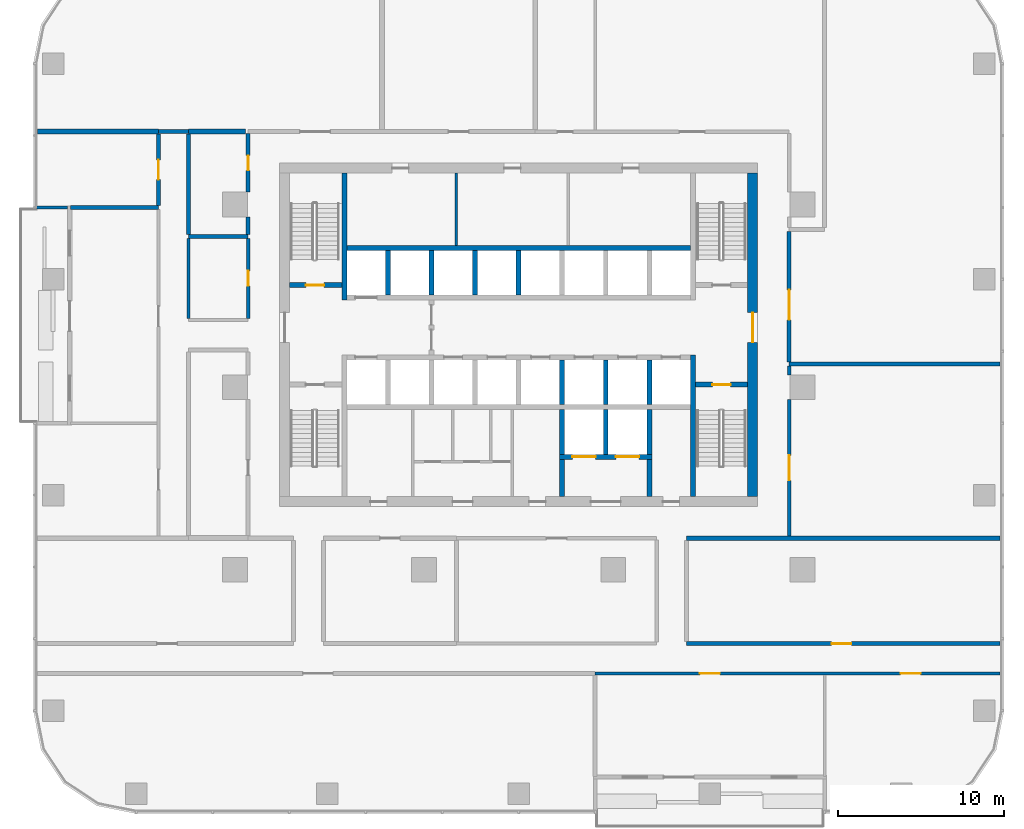
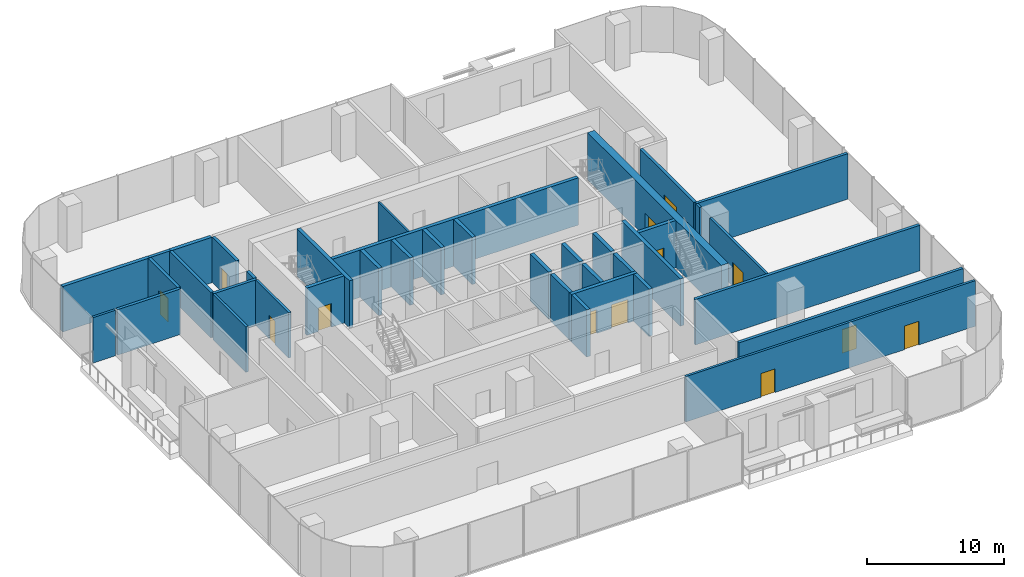
# One storey, part 9 of 15: 39 walls, 13 doors, 13 openings.
"""IFC4 building model written with IfcOpenShell, lengths in metres."""

from ifc_helpers import new_model, si_unit, direction, frame, frame_2d, origin, place, context, subcontext, project, spatial, rectangle, extrude, material, layer, layer_set, type_object, element, fill, save


model = new_model("IFC4")

# Units and contexts
model_context = context("Model", 3, precision=1e-05, world=origin(), true_north=direction((0.0, 1.0)))
body_context = subcontext(model_context, "Body", "Model", "MODEL_VIEW")
ifc_project = project(units=[si_unit("LENGTHUNIT", "METRE"), si_unit("AREAUNIT", "SQUARE_METRE"), si_unit("VOLUMEUNIT", "CUBIC_METRE"), si_unit("PLANEANGLEUNIT", "RADIAN"), si_unit("MASSUNIT", "GRAM", prefix="KILO")], contexts=[model_context])

# Site, building, storey
site_placement = place(None, origin())
site = spatial("IfcSite", under=ifc_project, at=site_placement, CompositionType="ELEMENT")
building_placement = place(site_placement, origin())
building = spatial("IfcBuilding", under=site, at=building_placement, Name="Mopane Tessera Tower", CompositionType="ELEMENT")
storey_placement = place(building_placement, frame((0.0, 0.0, 103.60009765625)))
storey = spatial("IfcBuildingStorey", under=building, at=storey_placement, Name="L20", CompositionType="ELEMENT", Elevation=103.60009765625)

# Wall
ifc_material_1 = material(Name="Fire-rated gypsum board partition")
ifc_layer_1 = layer(ifc_material_1, 0.14990234375)
ifc_layer_set_1 = layer_set([ifc_layer_1], Name="Fire-rated gypsum board partition")
wall_type_1 = type_object("IfcWallType", Name="Core room partition 150 mm", PredefinedType="PARTITIONING", material=ifc_layer_set_1)
wall_1_placement = place(storey_placement, frame((-3.75, 8.550048828125, 0.0), z_axis=(0.0, 0.0, 1.0), x_axis=(0.0, 1.0, 0.0)))
element("IfcWall", 1, at=wall_1_placement, inside=storey, type_object=wall_type_1, Name="L20 Room partition", PredefinedType="PARTITIONING", context=body_context, shape_type="SweptSolid", body=[
    extrude(rectangle(XDim=4.349853515625, YDim=0.14990234375, at=frame_2d((2.1748046875, 0.0))), origin(), (0.0, 0.0, 1.0), 4.199951171875),
])

# Wall, opening, door
ifc_material_2 = material(Name="Concrete C70/85", Category="concrete")
ifc_layer_2 = layer(ifc_material_2, 0.60009765625)
ifc_layer_set_2 = layer_set([ifc_layer_2], Name="Concrete C70/85")
wall_type_2 = type_object("IfcWallType", Name="Core shear wall 600 mm", PredefinedType="SHEAR", material=ifc_layer_set_2)
wall_2_placement = place(storey_placement, frame((14.10009765625, -6.60009765625, 0.0), z_axis=(0.0, 0.0, 1.0), x_axis=(0.0, 1.0, 0.0)))
wall_2 = element("IfcWall", 2, at=wall_2_placement, inside=storey, type_object=wall_type_2, Name="L20 Core wall east", PredefinedType="SHEAR", context=body_context, shape_type="SweptSolid", body=[
    extrude(rectangle(XDim=19.5, YDim=0.60009765625, at=frame_2d((9.75, 0.0))), origin(), (0.0, 0.0, 1.0), 4.199951171875),
])
opening_1_placement = place(wall_2_placement, frame((9.300048828125, 0.0, 0.0)))
opening_1 = element("IfcOpeningElement", 3, at=opening_1_placement, cuts=wall_2, Name="Opening SD2", PredefinedType="OPENING", context=body_context, shape_type="SweptSolid", body=[
    extrude(rectangle(XDim=1.800048828125, YDim=2.10009765625, at=frame_2d((0.89990234375, 1.050048828125))), frame((0.0, 0.31201171875, 0.0), z_axis=(0.0, -1.0, 0.0), x_axis=(1.0, 0.0, 0.0)), (0.0, 0.0, 1.0), 0.6240234375),
])
ifc_material_3 = material(Name="Steel fire door", Category="steel")
door_type_1 = type_object("IfcDoorType", Name="Core entrance double door 1800 x 2100", OperationType="DOUBLE_DOOR_SINGLE_SWING", PredefinedType="DOOR", material=ifc_material_3)
door_1_placement = place(opening_1_placement, origin())
door_1 = element("IfcDoor", 4, at=door_1_placement, inside=storey, type_object=door_type_1, Name="L20 Core entrance door east", OperationType="DOUBLE_DOOR_SINGLE_SWING", OverallHeight=2.10009765625, OverallWidth=1.800048828125, PredefinedType="DOOR", context=body_context, shape_type="SweptSolid", body=[
    extrude(rectangle(XDim=1.800048828125, YDim=2.10009765625, at=frame_2d((0.89990234375, 1.050048828125))), frame((0.0, 0.02490234375, 0.0), z_axis=(0.0, -1.0, 0.0), x_axis=(1.0, 0.0, 0.0)), (0.0, 0.0, 1.0), 0.050048828125),
])
fill(opening_1, door_1)

# Walls
ifc_material_4 = material(Name="Concrete C60/75", Category="concrete")
ifc_layer_3 = layer(ifc_material_4, 0.300048828125)
ifc_layer_set_3 = layer_set([ifc_layer_3], Name="Concrete C60/75")
wall_type_3 = type_object("IfcWallType", Name="Core spine wall 300 mm", PredefinedType="SHEAR", material=ifc_layer_set_3)
wall_3_placement = place(storey_placement, frame((-10.5, 5.25, 0.0), z_axis=(0.0, 0.0, 1.0), x_axis=(0.0, 1.0, 0.0)))
element("IfcWall", 5, at=wall_3_placement, inside=storey, type_object=wall_type_3, Name="L20 Core spine wall", PredefinedType="SHEAR", context=body_context, shape_type="SweptSolid", body=[
    extrude(rectangle(XDim=7.64990234375, YDim=0.300048828125, at=frame_2d((3.824951171875, 0.0))), origin(), (0.0, 0.0, 1.0), 4.199951171875),
])
wall_4_placement = place(storey_placement, frame((10.5, -6.60009765625, 0.0), z_axis=(0.0, 0.0, 1.0), x_axis=(0.0, 1.0, 0.0)))
element("IfcWall", 6, at=wall_4_placement, inside=storey, type_object=wall_type_3, Name="L20 Core spine wall", PredefinedType="SHEAR", context=body_context, shape_type="SweptSolid", body=[
    extrude(rectangle(XDim=8.550048828125, YDim=0.300048828125, at=frame_2d((4.27490234375, 0.0))), origin(), (0.0, 0.0, 1.0), 4.199951171875),
])

# Wall, openings, doors
ifc_material_5 = material(Name="Gypsum board on steel studs, two layers each face, mineral wool infill", Category="steel")
ifc_layer_4 = layer(ifc_material_5, 0.199951171875)
ifc_layer_set_4 = layer_set([ifc_layer_4], Name="Gypsum board on steel studs, two layers each face, mineral wool infill")
wall_type_4 = type_object("IfcWallType", Name="Gypsum board corridor wall 200, rated EI 60", PredefinedType="PARTITIONING", material=ifc_layer_set_4)
wall_5_placement = place(storey_placement, frame((4.610107421875, -17.25, 0.0), z_axis=(0.0, 0.0, 1.0), x_axis=(1.0, 0.0, 0.0)))
wall_5 = element("IfcWall", 7, at=wall_5_placement, inside=storey, type_object=wall_type_4, Name="Partition L20:000", PredefinedType="PARTITIONING", context=body_context, shape_type="SweptSolid", body=[
    extrude(rectangle(XDim=24.389892578125, YDim=0.199951171875, at=frame_2d((12.19482421875, 0.0))), origin(), (0.0, 0.0, 1.0), 4.0498046875),
])
opening_2_placement = place(wall_5_placement, frame((6.31494140625, 0.0, 0.0)))
opening_2 = element("IfcOpeningElement", 8, at=opening_2_placement, cuts=wall_5, Name="Opening L20-16", PredefinedType="OPENING", context=body_context, shape_type="SweptSolid", body=[
    extrude(rectangle(XDim=1.199951171875, YDim=2.10009765625, at=frame_2d((0.60009765625, 1.050048828125))), frame((0.0, 0.112060546875, 0.0), z_axis=(0.0, -1.0, 0.0), x_axis=(1.0, 0.0, 0.0)), (0.0, 0.0, 1.0), 0.223876953125),
])
opening_3_placement = place(wall_5_placement, frame((18.409912109375, 0.0, 0.0)))
opening_3 = element("IfcOpeningElement", 9, at=opening_3_placement, cuts=wall_5, Name="Opening L20-19", PredefinedType="OPENING", context=body_context, shape_type="SweptSolid", body=[
    extrude(rectangle(XDim=1.199951171875, YDim=2.10009765625, at=frame_2d((0.60009765625, 1.050048828125))), frame((0.0, 0.112060546875, 0.0), z_axis=(0.0, -1.0, 0.0), x_axis=(1.0, 0.0, 0.0)), (0.0, 0.0, 1.0), 0.223876953125),
])
ifc_material_6 = material(Name="Timber veneered steel-framed fire door", Category="steel")
door_type_2 = type_object("IfcDoorType", Name="Fire door FD60 1200 x 2100", OperationType="SINGLE_SWING_LEFT", PredefinedType="DOOR", material=ifc_material_6)
door_2_placement = place(opening_2_placement, origin())
door_2 = element("IfcDoor", 10, at=door_2_placement, inside=storey, type_object=door_type_2, Name="Door L20-16", ObjectType="D15A", OperationType="SINGLE_SWING_RIGHT", OverallHeight=2.10009765625, OverallWidth=1.199951171875, PredefinedType="DOOR", context=body_context, shape_type="SweptSolid", body=[
    extrude(rectangle(XDim=1.199951171875, YDim=2.10009765625, at=frame_2d((0.60009765625, 1.050048828125))), frame((0.0, 0.02490234375, 0.0), z_axis=(0.0, -1.0, 0.0), x_axis=(1.0, 0.0, 0.0)), (0.0, 0.0, 1.0), 0.050048828125),
])
fill(opening_2, door_2)
door_3_placement = place(opening_3_placement, origin())
door_3 = element("IfcDoor", 11, at=door_3_placement, inside=storey, type_object=door_type_2, Name="Door L20-19", ObjectType="D15A", OperationType="SINGLE_SWING_LEFT", OverallHeight=2.10009765625, OverallWidth=1.199951171875, PredefinedType="DOOR", context=body_context, shape_type="SweptSolid", body=[
    extrude(rectangle(XDim=1.199951171875, YDim=2.10009765625, at=frame_2d((0.60009765625, 1.050048828125))), frame((0.0, 0.02490234375, 0.0), z_axis=(0.0, -1.0, 0.0), x_axis=(1.0, 0.0, 0.0)), (0.0, 0.0, 1.0), 0.050048828125),
])
fill(opening_3, door_3)

# Wall
wall_6_placement = place(storey_placement, frame((-19.89990234375, 4.14990234375, 0.0), z_axis=(0.0, 0.0, 1.0), x_axis=(0.0, 1.0, 0.0)))
element("IfcWall", 12, at=wall_6_placement, inside=storey, type_object=wall_type_4, Name="Partition L20:026", PredefinedType="PARTITIONING", context=body_context, shape_type="SweptSolid", body=[
    extrude(rectangle(XDim=4.81005859375, YDim=0.199951171875, at=frame_2d((2.405029296875, 0.0))), origin(), (0.0, 0.0, 1.0), 4.0498046875),
])

# Wall, opening, door
wall_7_placement = place(storey_placement, frame((-16.300048828125, 4.14990234375, 0.0), z_axis=(0.0, 0.0, 1.0), x_axis=(0.0, 1.0, 0.0)))
wall_7 = element("IfcWall", 13, at=wall_7_placement, inside=storey, type_object=wall_type_4, Name="Partition L20:029", PredefinedType="PARTITIONING", context=body_context, shape_type="SweptSolid", body=[
    extrude(rectangle(XDim=4.81005859375, YDim=0.199951171875, at=frame_2d((2.405029296875, 0.0))), origin(), (0.0, 0.0, 1.0), 4.0498046875),
])
opening_4_placement = place(wall_7_placement, frame((1.955078125, 0.0, 0.0)))
opening_4 = element("IfcOpeningElement", 14, at=opening_4_placement, cuts=wall_7, Name="Opening L20-08", PredefinedType="OPENING", context=body_context, shape_type="SweptSolid", body=[
    extrude(rectangle(XDim=0.89990234375, YDim=2.10009765625, at=frame_2d((0.449951171875, 1.050048828125))), frame((0.0, 0.112060546875, 0.0), z_axis=(0.0, -1.0, 0.0), x_axis=(1.0, 0.0, 0.0)), (0.0, 0.0, 1.0), 0.223876953125),
])
ifc_material_7 = material(Name="Timber veneered steel-framed fire door", Category="steel")
door_type_3 = type_object("IfcDoorType", Name="Fire door FD60 900 x 2100", OperationType="SINGLE_SWING_LEFT", PredefinedType="DOOR", material=ifc_material_7)
door_4_placement = place(opening_4_placement, origin())
door_4 = element("IfcDoor", 15, at=door_4_placement, inside=storey, type_object=door_type_3, Name="Door L20-08", ObjectType="D10A", OperationType="SINGLE_SWING_LEFT", OverallHeight=2.10009765625, OverallWidth=0.89990234375, PredefinedType="DOOR", context=body_context, shape_type="SweptSolid", body=[
    extrude(rectangle(XDim=0.89990234375, YDim=2.10009765625, at=frame_2d((0.449951171875, 1.050048828125))), frame((0.0, 0.02490234375, 0.0), z_axis=(0.0, -1.0, 0.0), x_axis=(1.0, 0.0, 0.0)), (0.0, 0.0, 1.0), 0.050048828125),
])
fill(opening_4, door_4)

wall_8_placement = place(storey_placement, frame((16.300048828125, -8.97509765625, 0.0), z_axis=(0.0, 0.0, 1.0), x_axis=(0.0, 1.0, 0.0)))
wall_8 = element("IfcWall", 16, at=wall_8_placement, inside=storey, type_object=wall_type_4, Name="Partition L20:043", PredefinedType="PARTITIONING", context=body_context, shape_type="SweptSolid", body=[
    extrude(rectangle(XDim=8.22509765625, YDim=0.199951171875, at=frame_2d((4.112548828125, 0.0))), origin(), (0.0, 0.0, 1.0), 4.0498046875),
])
opening_5_placement = place(wall_8_placement, frame((3.362548828125, 0.0, 0.0)))
opening_5 = element("IfcOpeningElement", 17, at=opening_5_placement, cuts=wall_8, Name="Opening L20-18", PredefinedType="OPENING", context=body_context, shape_type="SweptSolid", body=[
    extrude(rectangle(XDim=1.5, YDim=2.10009765625, at=frame_2d((0.75, 1.050048828125))), frame((0.0, 0.112060546875, 0.0), z_axis=(0.0, -1.0, 0.0), x_axis=(1.0, 0.0, 0.0)), (0.0, 0.0, 1.0), 0.223876953125),
])
ifc_material_8 = material(Name="Timber veneered steel-framed fire door", Category="steel")
door_type_4 = type_object("IfcDoorType", Name="Fire door pair FD60 1500 x 2100", OperationType="DOUBLE_DOOR_SINGLE_SWING", PredefinedType="DOOR", material=ifc_material_8)
door_5_placement = place(opening_5_placement, origin())
door_5 = element("IfcDoor", 18, at=door_5_placement, inside=storey, type_object=door_type_4, Name="Door L20-18", ObjectType="D17A", OperationType="DOUBLE_DOOR_SINGLE_SWING", OverallHeight=2.10009765625, OverallWidth=1.5, PredefinedType="DOOR", context=body_context, shape_type="SweptSolid", body=[
    extrude(rectangle(XDim=1.5, YDim=2.10009765625, at=frame_2d((0.75, 1.050048828125))), frame((0.0, 0.02490234375, 0.0), z_axis=(0.0, -1.0, 0.0), x_axis=(1.0, 0.0, 0.0)), (0.0, 0.0, 1.0), 0.050048828125),
])
fill(opening_5, door_5)

# Wall
wall_9_placement = place(storey_placement, frame((16.300048828125, 0.75, 0.0), z_axis=(0.0, 0.0, 1.0), x_axis=(0.0, 1.0, 0.0)))
element("IfcWall", 19, at=wall_9_placement, inside=storey, type_object=wall_type_4, Name="Partition L20:044", PredefinedType="PARTITIONING", context=body_context, shape_type="SweptSolid", body=[
    extrude(rectangle(XDim=0.52490234375, YDim=0.199951171875, at=frame_2d((0.262451171875, 0.0))), origin(), (0.0, 0.0, 1.0), 4.0498046875),
])

# Wall, opening, door
ifc_material_9 = material(Name="Concrete C50/60", Category="concrete")
ifc_layer_5 = layer(ifc_material_9, 0.300048828125)
ifc_layer_set_5 = layer_set([ifc_layer_5], Name="Concrete C50/60")
wall_type_5 = type_object("IfcWallType", Name="Lift and stair shaft wall 300 mm", PredefinedType="SOLIDWALL", material=ifc_layer_set_5)
wall_10_placement = place(storey_placement, frame((-13.800048828125, 6.14990234375, 0.0), z_axis=(0.0, 0.0, 1.0), x_axis=(1.0, 0.0, 0.0)))
wall_10 = element("IfcWall", 20, at=wall_10_placement, inside=storey, type_object=wall_type_5, Name="L20 Stair enclosure wall", PredefinedType="SOLIDWALL", context=body_context, shape_type="SweptSolid", body=[
    extrude(rectangle(XDim=3.150146484375, YDim=0.300048828125, at=frame_2d((1.5751953125, 0.0))), origin(), (0.0, 0.0, 1.0), 4.199951171875),
])
opening_6_placement = place(wall_10_placement, frame((0.97509765625, 0.0, 0.0)))
opening_6 = element("IfcOpeningElement", 21, at=opening_6_placement, cuts=wall_10, Name="Opening SD1", PredefinedType="OPENING", context=body_context, shape_type="SweptSolid", body=[
    extrude(rectangle(XDim=1.10009765625, YDim=2.10009765625, at=frame_2d((0.550048828125, 1.050048828125))), frame((0.0, 0.162109375, 0.0), z_axis=(0.0, -1.0, 0.0), x_axis=(1.0, 0.0, 0.0)), (0.0, 0.0, 1.0), 0.323974609375),
])
ifc_material_10 = material(Name="Steel fire door", Category="steel")
door_type_5 = type_object("IfcDoorType", Name="Stair fire door 1100 x 2100", OperationType="SINGLE_SWING_LEFT", PredefinedType="DOOR", material=ifc_material_10)
door_6_placement = place(opening_6_placement, origin())
door_6 = element("IfcDoor", 22, at=door_6_placement, inside=storey, type_object=door_type_5, Name="L20 Stair door ST2", OperationType="SINGLE_SWING_LEFT", OverallHeight=2.10009765625, OverallWidth=1.10009765625, PredefinedType="DOOR", context=body_context, shape_type="SweptSolid", body=[
    extrude(rectangle(XDim=1.10009765625, YDim=2.10009765625, at=frame_2d((0.550048828125, 1.050048828125))), frame((0.0, 0.02490234375, 0.0), z_axis=(0.0, -1.0, 0.0), x_axis=(1.0, 0.0, 0.0)), (0.0, 0.0, 1.0), 0.050048828125),
])
fill(opening_6, door_6)

wall_11_placement = place(storey_placement, frame((10.64990234375, 0.14990234375, 0.0), z_axis=(0.0, 0.0, 1.0), x_axis=(1.0, 0.0, 0.0)))
wall_11 = element("IfcWall", 23, at=wall_11_placement, inside=storey, type_object=wall_type_5, Name="L20 Stair enclosure wall", PredefinedType="SOLIDWALL", context=body_context, shape_type="SweptSolid", body=[
    extrude(rectangle(XDim=3.150146484375, YDim=0.300048828125, at=frame_2d((1.5751953125, 0.0))), origin(), (0.0, 0.0, 1.0), 4.199951171875),
])
opening_7_placement = place(wall_11_placement, frame((1.02490234375, 0.0, 0.0)))
opening_7 = element("IfcOpeningElement", 24, at=opening_7_placement, cuts=wall_11, Name="Opening SD1", PredefinedType="OPENING", context=body_context, shape_type="SweptSolid", body=[
    extrude(rectangle(XDim=1.10009765625, YDim=2.10009765625, at=frame_2d((0.550048828125, 1.050048828125))), frame((0.0, 0.162109375, 0.0), z_axis=(0.0, -1.0, 0.0), x_axis=(1.0, 0.0, 0.0)), (0.0, 0.0, 1.0), 0.323974609375),
])
door_7_placement = place(opening_7_placement, origin())
door_7 = element("IfcDoor", 25, at=door_7_placement, inside=storey, type_object=door_type_5, Name="L20 Stair door ST3", OperationType="SINGLE_SWING_RIGHT", OverallHeight=2.10009765625, OverallWidth=1.10009765625, PredefinedType="DOOR", context=body_context, shape_type="SweptSolid", body=[
    extrude(rectangle(XDim=1.10009765625, YDim=2.10009765625, at=frame_2d((0.550048828125, 1.050048828125))), frame((0.0, 0.02490234375, 0.0), z_axis=(0.0, -1.0, 0.0), x_axis=(1.0, 0.0, 0.0)), (0.0, 0.0, 1.0), 0.050048828125),
])
fill(opening_7, door_7)

# Walls
wall_12_placement = place(storey_placement, frame((-10.35009765625, 8.39990234375, 0.0), z_axis=(0.0, 0.0, 1.0), x_axis=(1.0, 0.0, 0.0)))
element("IfcWall", 26, at=wall_12_placement, inside=storey, type_object=wall_type_5, Name="L20 Lift shaft rear wall", PredefinedType="SOLIDWALL", context=body_context, shape_type="SweptSolid", body=[
    extrude(rectangle(XDim=20.7001953125, YDim=0.300048828125, at=frame_2d((10.35009765625, 0.0))), origin(), (0.0, 0.0, 1.0), 4.199951171875),
])
for number, where, z_axis, x_axis, name in (
    (27, (2.625, -1.050048828125, 0.0), (0.0, 0.0, 1.0), (0.0, 1.0, 0.0), "L20 Lift shaft wall"),
    (28, (5.25, -1.050048828125, 0.0), (0.0, 0.0, 1.0), (0.0, 1.0, 0.0), "L20 Lift shaft wall"),
    (29, (7.875, -1.050048828125, 0.0), (0.0, 0.0, 1.0), (0.0, 1.0, 0.0), "L20 Lift shaft wall"),
    (30, (-7.875, 5.550048828125, 0.0), (0.0, 0.0, 1.0), (0.0, 1.0, 0.0), "L20 Lift shaft wall"),
    (31, (-5.25, 5.550048828125, 0.0), (0.0, 0.0, 1.0), (0.0, 1.0, 0.0), "L20 Lift shaft wall"),
    (32, (-2.625, 5.550048828125, 0.0), (0.0, 0.0, 1.0), (0.0, 1.0, 0.0), "L20 Lift shaft wall"),
    (33, (0.0, 5.550048828125, 0.0), (0.0, 0.0, 1.0), (0.0, 1.0, 0.0), "L20 Lift shaft wall"),
):
    element("IfcWall", number, at=place(storey_placement, frame(where, z_axis=z_axis, x_axis=x_axis)), inside=storey, type_object=wall_type_5, Name=name, PredefinedType="SOLIDWALL", context=body_context, shape_type="SweptSolid", body=[
        extrude(rectangle(XDim=2.699951171875, YDim=0.300048828125, at=frame_2d((1.35009765625, 0.0))), origin(), (0.0, 0.0, 1.0), 4.199951171875),
    ])

# Wall, openings, doors
wall_13_placement = place(storey_placement, frame((2.47509765625, -4.199951171875, 0.0), z_axis=(0.0, 0.0, 1.0), x_axis=(1.0, 0.0, 0.0)))
wall_13 = element("IfcWall", 34, at=wall_13_placement, inside=storey, type_object=wall_type_5, Name="L20 Lift shaft front wall", PredefinedType="SOLIDWALL", context=body_context, shape_type="SweptSolid", body=[
    extrude(rectangle(XDim=5.5498046875, YDim=0.300048828125, at=frame_2d((2.77490234375, 0.0))), origin(), (0.0, 0.0, 1.0), 4.199951171875),
])
opening_8_placement = place(wall_13_placement, frame((0.762451171875, 0.0, 0.0)))
opening_8 = element("IfcOpeningElement", 35, at=opening_8_placement, cuts=wall_13, Name="Opening LD3", PredefinedType="OPENING", context=body_context, shape_type="SweptSolid", body=[
    extrude(rectangle(XDim=1.39990234375, YDim=2.10009765625, at=frame_2d((0.699951171875, 1.050048828125))), frame((0.0, 0.162109375, 0.0), z_axis=(0.0, -1.0, 0.0), x_axis=(1.0, 0.0, 0.0)), (0.0, 0.0, 1.0), 0.323974609375),
])
opening_9_placement = place(wall_13_placement, frame((3.387451171875, 0.0, 0.0)))
opening_9 = element("IfcOpeningElement", 36, at=opening_9_placement, cuts=wall_13, Name="Opening LD3", PredefinedType="OPENING", context=body_context, shape_type="SweptSolid", body=[
    extrude(rectangle(XDim=1.39990234375, YDim=2.10009765625, at=frame_2d((0.699951171875, 1.050048828125))), frame((0.0, 0.162109375, 0.0), z_axis=(0.0, -1.0, 0.0), x_axis=(1.0, 0.0, 0.0)), (0.0, 0.0, 1.0), 0.323974609375),
])
ifc_material_11 = material(Name="Stainless steel sliding door", Category="steel")
door_type_6 = type_object("IfcDoorType", Name="Service lift landing door 1400 x 2100", OperationType="DOUBLE_DOOR_SLIDING", PredefinedType="DOOR", material=ifc_material_11)
door_8_placement = place(opening_8_placement, origin())
door_8 = element("IfcDoor", 37, at=door_8_placement, inside=storey, type_object=door_type_6, Name="L20 Lift landing door SV1", OperationType="DOUBLE_DOOR_SLIDING", OverallHeight=2.10009765625, OverallWidth=1.39990234375, PredefinedType="DOOR", context=body_context, shape_type="SweptSolid", body=[
    extrude(rectangle(XDim=1.39990234375, YDim=2.10009765625, at=frame_2d((0.699951171875, 1.050048828125))), frame((0.0, 0.02490234375, 0.0), z_axis=(0.0, -1.0, 0.0), x_axis=(1.0, 0.0, 0.0)), (0.0, 0.0, 1.0), 0.050048828125),
])
fill(opening_8, door_8)
door_9_placement = place(opening_9_placement, origin())
door_9 = element("IfcDoor", 38, at=door_9_placement, inside=storey, type_object=door_type_6, Name="L20 Lift landing door SV2", OperationType="DOUBLE_DOOR_SLIDING", OverallHeight=2.10009765625, OverallWidth=1.39990234375, PredefinedType="DOOR", context=body_context, shape_type="SweptSolid", body=[
    extrude(rectangle(XDim=1.39990234375, YDim=2.10009765625, at=frame_2d((0.699951171875, 1.050048828125))), frame((0.0, 0.02490234375, 0.0), z_axis=(0.0, -1.0, 0.0), x_axis=(1.0, 0.0, 0.0)), (0.0, 0.0, 1.0), 0.050048828125),
])
fill(opening_9, door_9)

# Walls
for number, where, z_axis, x_axis, name in (
    (39, (2.625, -4.050048828125, 0.0), (0.0, 0.0, 1.0), (0.0, 1.0, 0.0), "L20 Lift shaft wall"),
    (40, (5.25, -4.050048828125, 0.0), (0.0, 0.0, 1.0), (0.0, 1.0, 0.0), "L20 Lift shaft wall"),
    (41, (7.875, -4.050048828125, 0.0), (0.0, 0.0, 1.0), (0.0, 1.0, 0.0), "L20 Lift shaft wall"),
):
    element("IfcWall", number, at=place(storey_placement, frame(where, z_axis=z_axis, x_axis=x_axis)), inside=storey, type_object=wall_type_5, Name=name, PredefinedType="SOLIDWALL", context=body_context, shape_type="SweptSolid", body=[
        extrude(rectangle(XDim=2.699951171875, YDim=0.300048828125, at=frame_2d((1.35009765625, 0.0))), origin(), (0.0, 0.0, 1.0), 4.199951171875),
    ])
ifc_material_12 = material(Name="Concrete C50/60", Category="concrete")
ifc_layer_6 = layer(ifc_material_12, 0.300048828125)
ifc_layer_set_6 = layer_set([ifc_layer_6], Name="Concrete C50/60")
wall_type_6 = type_object("IfcWallType", Name="Lobby and refuge room wall 300 mm", PredefinedType="SOLIDWALL", material=ifc_layer_set_6)
for number, where, z_axis, x_axis, name in (
    (42, (2.625, -6.60009765625, 0.0), (0.0, 0.0, 1.0), (0.0, 1.0, 0.0), "L20 Service lobby wall"),
    (43, (7.875, -6.60009765625, 0.0), (0.0, 0.0, 1.0), (0.0, 1.0, 0.0), "L20 Service lobby wall"),
):
    element("IfcWall", number, at=place(storey_placement, frame(where, z_axis=z_axis, x_axis=x_axis)), inside=storey, type_object=wall_type_6, Name=name, PredefinedType="SOLIDWALL", context=body_context, shape_type="SweptSolid", body=[
        extrude(rectangle(XDim=2.25, YDim=0.300048828125, at=frame_2d((1.125, 0.0))), origin(), (0.0, 0.0, 1.0), 4.199951171875),
    ])
ifc_material_13 = material(Name="Plastered concrete blockwork C20/25", Category="masonry")
ifc_layer_7 = layer(ifc_material_13, 0.300048828125)
ifc_layer_set_7 = layer_set([ifc_layer_7], Name="Plastered concrete blockwork C20/25")
wall_type_7 = type_object("IfcWallType", Name="Plastered blockwork separation wall 300, rated EI 120", PredefinedType="PARTITIONING", material=ifc_layer_set_7)
wall_14_placement = place(storey_placement, frame((-29.0, 15.39990234375, 0.0), z_axis=(0.0, 0.0, 1.0), x_axis=(1.0, 0.0, 0.0)))
element("IfcWall", 44, at=wall_14_placement, inside=storey, type_object=wall_type_7, Name="Partition L20:022", PredefinedType="PARTITIONING", context=body_context, shape_type="SweptSolid", body=[
    extrude(rectangle(XDim=7.300048828125, YDim=0.300048828125, at=frame_2d((3.64990234375, 0.0))), origin(), (0.0, 0.0, 1.0), 4.0498046875),
])
wall_15_placement = place(storey_placement, frame((-19.89990234375, 15.39990234375, 0.0), z_axis=(0.0, 0.0, 1.0), x_axis=(1.0, 0.0, 0.0)))
element("IfcWall", 45, at=wall_15_placement, inside=storey, type_object=wall_type_7, Name="Partition L20:023", PredefinedType="PARTITIONING", context=body_context, shape_type="SweptSolid", body=[
    extrude(rectangle(XDim=3.44482421875, YDim=0.300048828125, at=frame_2d((1.722412109375, 0.0))), origin(), (0.0, 0.0, 1.0), 4.0498046875),
])

# Wall, opening, door
ifc_material_14 = material(Name="Plastered concrete blockwork C20/25", Category="masonry")
ifc_layer_8 = layer(ifc_material_14, 0.25)
ifc_layer_set_8 = layer_set([ifc_layer_8], Name="Plastered concrete blockwork C20/25")
wall_type_8 = type_object("IfcWallType", Name="Plastered blockwork wall 250, rated EI 120", PredefinedType="PARTITIONING", material=ifc_layer_set_8)
wall_16_placement = place(storey_placement, frame((10.114990234375, -15.449951171875, 0.0), z_axis=(0.0, 0.0, 1.0), x_axis=(1.0, 0.0, 0.0)))
wall_16 = element("IfcWall", 46, at=wall_16_placement, inside=storey, type_object=wall_type_8, Name="Partition L20:005", PredefinedType="PARTITIONING", context=body_context, shape_type="SweptSolid", body=[
    extrude(rectangle(XDim=18.885009765625, YDim=0.25, at=frame_2d((9.4423828125, 0.0))), origin(), (0.0, 0.0, 1.0), 4.0498046875),
])
opening_10_placement = place(wall_16_placement, frame((8.742431640625, 0.0, 0.0)))
opening_10 = element("IfcOpeningElement", 47, at=opening_10_placement, cuts=wall_16, Name="Opening L20-02", PredefinedType="OPENING", context=body_context, shape_type="SweptSolid", body=[
    extrude(rectangle(XDim=1.199951171875, YDim=2.10009765625, at=frame_2d((0.60009765625, 1.050048828125))), frame((0.0, 0.136962890625, 0.0), z_axis=(0.0, -1.0, 0.0), x_axis=(1.0, 0.0, 0.0)), (0.0, 0.0, 1.0), 0.27392578125),
])
ifc_material_15 = material(Name="Timber veneered steel-framed fire door", Category="steel")
door_type_7 = type_object("IfcDoorType", Name="Fire door FD120 1200 x 2100", OperationType="SINGLE_SWING_LEFT", PredefinedType="DOOR", material=ifc_material_15)
door_10_placement = place(opening_10_placement, origin())
door_10 = element("IfcDoor", 48, at=door_10_placement, inside=storey, type_object=door_type_7, Name="Door L20-02", ObjectType="D15B", OperationType="SINGLE_SWING_RIGHT", OverallHeight=2.10009765625, OverallWidth=1.199951171875, PredefinedType="DOOR", context=body_context, shape_type="SweptSolid", body=[
    extrude(rectangle(XDim=1.199951171875, YDim=2.10009765625, at=frame_2d((0.60009765625, 1.050048828125))), frame((0.0, 0.02490234375, 0.0), z_axis=(0.0, -1.0, 0.0), x_axis=(1.0, 0.0, 0.0)), (0.0, 0.0, 1.0), 0.050048828125),
])
fill(opening_10, door_10)

# Walls
wall_17_placement = place(storey_placement, frame((10.114990234375, -9.10009765625, 0.0), z_axis=(0.0, 0.0, 1.0), x_axis=(1.0, 0.0, 0.0)))
element("IfcWall", 49, at=wall_17_placement, inside=storey, type_object=wall_type_8, Name="Partition L20:010", PredefinedType="PARTITIONING", context=body_context, shape_type="SweptSolid", body=[
    extrude(rectangle(XDim=18.885009765625, YDim=0.25, at=frame_2d((9.4423828125, 0.0))), origin(), (0.0, 0.0, 1.0), 4.0498046875),
])
wall_18_placement = place(storey_placement, frame((16.300048828125, 1.39990234375, 0.0), z_axis=(0.0, 0.0, 1.0), x_axis=(1.0, 0.0, 0.0)))
element("IfcWall", 50, at=wall_18_placement, inside=storey, type_object=wall_type_8, Name="Partition L20:013", PredefinedType="PARTITIONING", context=body_context, shape_type="SweptSolid", body=[
    extrude(rectangle(XDim=12.699951171875, YDim=0.25, at=frame_2d((6.35009765625, 0.0))), origin(), (0.0, 0.0, 1.0), 4.0498046875),
])
wall_19_placement = place(storey_placement, frame((-19.89990234375, 9.0849609375, 0.0), z_axis=(0.0, 0.0, 1.0), x_axis=(1.0, 0.0, 0.0)))
element("IfcWall", 51, at=wall_19_placement, inside=storey, type_object=wall_type_8, Name="Partition L20:016", PredefinedType="PARTITIONING", context=body_context, shape_type="SweptSolid", body=[
    extrude(rectangle(XDim=3.599853515625, YDim=0.25, at=frame_2d((1.7998046875, 0.0))), origin(), (0.0, 0.0, 1.0), 4.0498046875),
])
wall_20_placement = place(storey_placement, frame((-27.0, 10.8349609375, 0.0), z_axis=(0.0, 0.0, 1.0), x_axis=(1.0, 0.0, 0.0)))
element("IfcWall", 52, at=wall_20_placement, inside=storey, type_object=wall_type_8, Name="Partition L20:018", PredefinedType="PARTITIONING", context=body_context, shape_type="SweptSolid", body=[
    extrude(rectangle(XDim=5.300048828125, YDim=0.25, at=frame_2d((2.64990234375, 0.0))), origin(), (0.0, 0.0, 1.0), 4.0498046875),
])
wall_21_placement = place(storey_placement, frame((-21.699951171875, 15.39990234375, 0.0), z_axis=(0.0, 0.0, 1.0), x_axis=(1.0, 0.0, 0.0)))
element("IfcWall", 53, at=wall_21_placement, inside=storey, type_object=wall_type_8, Name="Partition L20:020", PredefinedType="PARTITIONING", context=body_context, shape_type="SweptSolid", body=[
    extrude(rectangle(XDim=1.800048828125, YDim=0.25, at=frame_2d((0.89990234375, 0.0))), origin(), (0.0, 0.0, 1.0), 4.0498046875),
])

# Wall, opening, door
wall_22_placement = place(storey_placement, frame((-21.699951171875, 10.9599609375, 0.0), z_axis=(0.0, 0.0, 1.0), x_axis=(0.0, 1.0, 0.0)))
wall_22 = element("IfcWall", 54, at=wall_22_placement, inside=storey, type_object=wall_type_8, Name="Partition L20:025", PredefinedType="PARTITIONING", context=body_context, shape_type="SweptSolid", body=[
    extrude(rectangle(XDim=4.2900390625, YDim=0.25, at=frame_2d((2.14501953125, 0.0))), origin(), (0.0, 0.0, 1.0), 4.0498046875),
])
opening_11_placement = place(wall_22_placement, frame((1.544921875, 0.0, 0.0)))
opening_11 = element("IfcOpeningElement", 55, at=opening_11_placement, cuts=wall_22, Name="Opening L20-13", PredefinedType="OPENING", context=body_context, shape_type="SweptSolid", body=[
    extrude(rectangle(XDim=1.199951171875, YDim=2.10009765625, at=frame_2d((0.60009765625, 1.050048828125))), frame((0.0, 0.136962890625, 0.0), z_axis=(0.0, -1.0, 0.0), x_axis=(1.0, 0.0, 0.0)), (0.0, 0.0, 1.0), 0.27392578125),
])
door_11_placement = place(opening_11_placement, origin())
door_11 = element("IfcDoor", 56, at=door_11_placement, inside=storey, type_object=door_type_7, Name="Door L20-13", ObjectType="D15B", OperationType="SINGLE_SWING_LEFT", OverallHeight=2.10009765625, OverallWidth=1.199951171875, PredefinedType="DOOR", context=body_context, shape_type="SweptSolid", body=[
    extrude(rectangle(XDim=1.199951171875, YDim=2.10009765625, at=frame_2d((0.60009765625, 1.050048828125))), frame((0.0, 0.02490234375, 0.0), z_axis=(0.0, -1.0, 0.0), x_axis=(1.0, 0.0, 0.0)), (0.0, 0.0, 1.0), 0.050048828125),
])
fill(opening_11, door_11)

# Walls
wall_23_placement = place(storey_placement, frame((-19.89990234375, 9.2099609375, 0.0), z_axis=(0.0, 0.0, 1.0), x_axis=(0.0, 1.0, 0.0)))
element("IfcWall", 57, at=wall_23_placement, inside=storey, type_object=wall_type_8, Name="Partition L20:028", PredefinedType="PARTITIONING", context=body_context, shape_type="SweptSolid", body=[
    extrude(rectangle(XDim=6.0400390625, YDim=0.25, at=frame_2d((3.02001953125, 0.0))), origin(), (0.0, 0.0, 1.0), 4.0498046875),
])
wall_24_placement = place(storey_placement, frame((-16.300048828125, 9.2099609375, 0.0), z_axis=(0.0, 0.0, 1.0), x_axis=(0.0, 1.0, 0.0)))
element("IfcWall", 58, at=wall_24_placement, inside=storey, type_object=wall_type_8, Name="Partition L20:032", PredefinedType="PARTITIONING", context=body_context, shape_type="SweptSolid", body=[
    extrude(rectangle(XDim=1.0400390625, YDim=0.25, at=frame_2d((0.52001953125, 0.0))), origin(), (0.0, 0.0, 1.0), 4.0498046875),
])

# Wall, opening, door
wall_25_placement = place(storey_placement, frame((-16.300048828125, 11.75, 0.0), z_axis=(0.0, 0.0, 1.0), x_axis=(0.0, 1.0, 0.0)))
wall_25 = element("IfcWall", 59, at=wall_25_placement, inside=storey, type_object=wall_type_8, Name="Partition L20:033", PredefinedType="PARTITIONING", context=body_context, shape_type="SweptSolid", body=[
    extrude(rectangle(XDim=3.52490234375, YDim=0.25, at=frame_2d((1.762451171875, 0.0))), origin(), (0.0, 0.0, 1.0), 4.0498046875),
])
opening_12_placement = place(wall_25_placement, frame((1.3125, 0.0, 0.0)))
opening_12 = element("IfcOpeningElement", 60, at=opening_12_placement, cuts=wall_25, Name="Opening L20-01", PredefinedType="OPENING", context=body_context, shape_type="SweptSolid", body=[
    extrude(rectangle(XDim=0.89990234375, YDim=2.10009765625, at=frame_2d((0.449951171875, 1.050048828125))), frame((0.0, 0.136962890625, 0.0), z_axis=(0.0, -1.0, 0.0), x_axis=(1.0, 0.0, 0.0)), (0.0, 0.0, 1.0), 0.27392578125),
])
ifc_material_16 = material(Name="Timber veneered steel-framed fire door", Category="steel")
door_type_8 = type_object("IfcDoorType", Name="Fire door FD120 900 x 2100", OperationType="SINGLE_SWING_LEFT", PredefinedType="DOOR", material=ifc_material_16)
door_12_placement = place(opening_12_placement, origin())
door_12 = element("IfcDoor", 61, at=door_12_placement, inside=storey, type_object=door_type_8, Name="Door L20-01", ObjectType="D10B", OperationType="SINGLE_SWING_LEFT", OverallHeight=2.10009765625, OverallWidth=0.89990234375, PredefinedType="DOOR", context=body_context, shape_type="SweptSolid", body=[
    extrude(rectangle(XDim=0.89990234375, YDim=2.10009765625, at=frame_2d((0.449951171875, 1.050048828125))), frame((0.0, 0.02490234375, 0.0), z_axis=(0.0, -1.0, 0.0), x_axis=(1.0, 0.0, 0.0)), (0.0, 0.0, 1.0), 0.050048828125),
])
fill(opening_12, door_12)

wall_26_placement = place(storey_placement, frame((16.300048828125, 1.52490234375, 0.0), z_axis=(0.0, 0.0, 1.0), x_axis=(0.0, 1.0, 0.0)))
wall_26 = element("IfcWall", 62, at=wall_26_placement, inside=storey, type_object=wall_type_8, Name="Partition L20:047", PredefinedType="PARTITIONING", context=body_context, shape_type="SweptSolid", body=[
    extrude(rectangle(XDim=7.85009765625, YDim=0.25, at=frame_2d((3.925048828125, 0.0))), origin(), (0.0, 0.0, 1.0), 4.0498046875),
])
opening_13_placement = place(wall_26_placement, frame((2.53759765625, 0.0, 0.0)))
opening_13 = element("IfcOpeningElement", 63, at=opening_13_placement, cuts=wall_26, Name="Opening L20-03", PredefinedType="OPENING", context=body_context, shape_type="SweptSolid", body=[
    extrude(rectangle(XDim=1.800048828125, YDim=2.10009765625, at=frame_2d((0.89990234375, 1.050048828125))), frame((0.0, 0.136962890625, 0.0), z_axis=(0.0, -1.0, 0.0), x_axis=(1.0, 0.0, 0.0)), (0.0, 0.0, 1.0), 0.27392578125),
])
ifc_material_17 = material(Name="Timber veneered steel-framed fire door", Category="steel")
door_type_9 = type_object("IfcDoorType", Name="Fire door pair FD120 1800 x 2100", OperationType="DOUBLE_DOOR_SINGLE_SWING", PredefinedType="DOOR", material=ifc_material_17)
door_13_placement = place(opening_13_placement, origin())
door_13 = element("IfcDoor", 64, at=door_13_placement, inside=storey, type_object=door_type_9, Name="Door L20-03", ObjectType="D20B", OperationType="DOUBLE_DOOR_SINGLE_SWING", OverallHeight=2.10009765625, OverallWidth=1.800048828125, PredefinedType="DOOR", context=body_context, shape_type="SweptSolid", body=[
    extrude(rectangle(XDim=1.800048828125, YDim=2.10009765625, at=frame_2d((0.89990234375, 1.050048828125))), frame((0.0, 0.02490234375, 0.0), z_axis=(0.0, -1.0, 0.0), x_axis=(1.0, 0.0, 0.0)), (0.0, 0.0, 1.0), 0.050048828125),
])
fill(opening_13, door_13)

# Wall
ifc_material_18 = material(Name="Blockwork with glazed tile facing", Category="masonry")
ifc_layer_9 = layer(ifc_material_18, 0.199951171875)
ifc_layer_set_9 = layer_set([ifc_layer_9], Name="Blockwork with glazed tile facing")
wall_type_9 = type_object("IfcWallType", Name="Terrace cheek wall 200", PredefinedType="STANDARD", material=ifc_layer_set_9)
wall_27_placement = place(storey_placement, frame((-29.050048828125, 10.833251953125, 0.0), z_axis=(0.0, 0.0, 1.0), x_axis=(1.0, 0.0, 0.0)))
element("IfcWall", 65, at=wall_27_placement, inside=storey, type_object=wall_type_9, Name="e:nw:L20:N2:cheeka", PredefinedType="STANDARD", context=body_context, shape_type="SweptSolid", body=[
    extrude(rectangle(XDim=1.875, YDim=0.199951171875, at=frame_2d((0.9375, 0.0))), origin(), (0.0, 0.0, 1.0), 4.0498046875),
])

save(model, "model.ifc")
